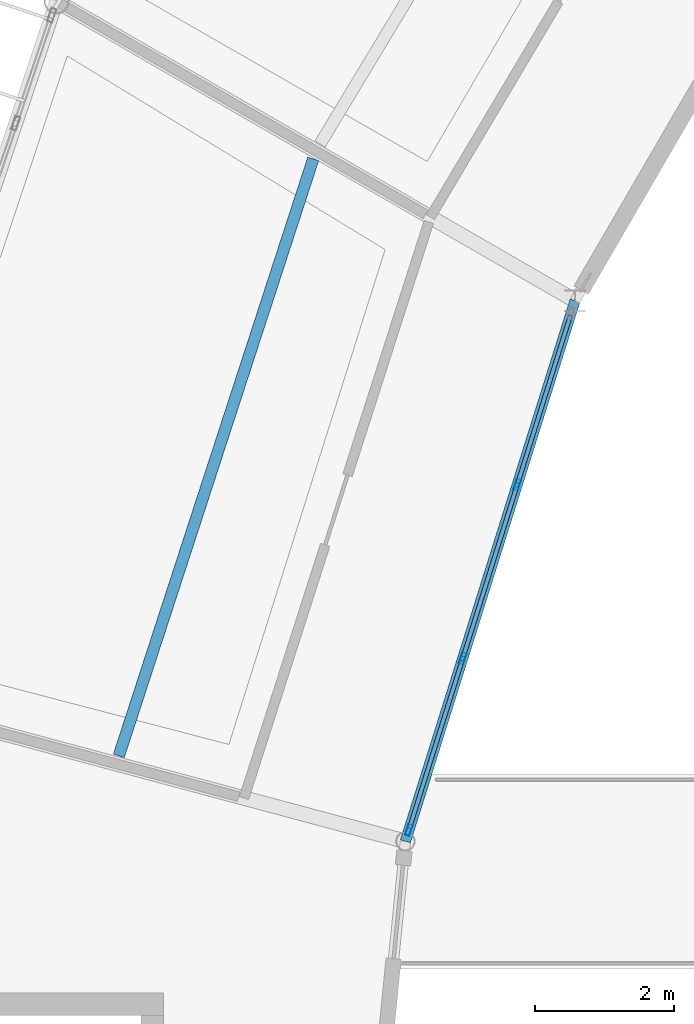
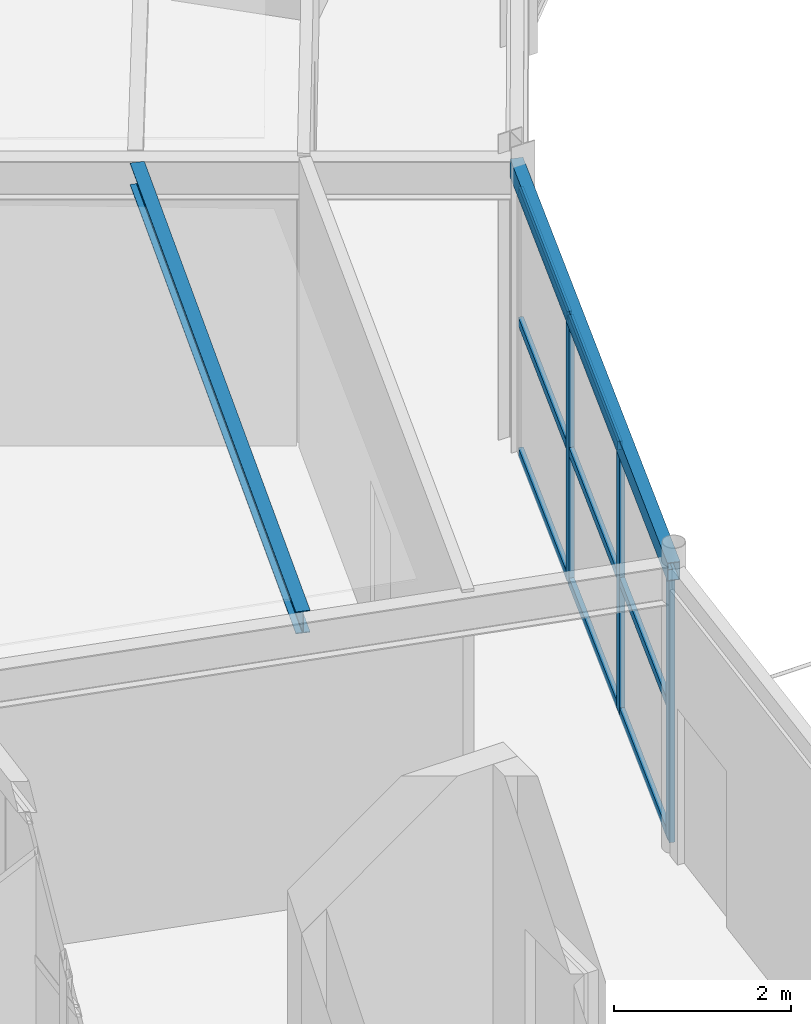
# One storey, part 46 of 148: 12 members, 2 beams, 1 element without a shape of its own.
"""IFC4 building model written with IfcOpenShell, lengths in metres."""

from ifc_helpers import new_model, si_unit, direction, frame, origin, origin_2d, place, context, subcontext, project, spatial, hollow_rectangle, i_section, extrude, material, material_profile, profile_set, type_object, element, aggregate, save


model = new_model("IFC4")

# Units and contexts
model_context = context("Model", 3, precision=1e-05, world=origin(), true_north=direction((0.0, 1.0)))
body_context = subcontext(model_context, "Body", "Model", "MODEL_VIEW")
ifc_project = project(units=[si_unit("LENGTHUNIT", "METRE"), si_unit("AREAUNIT", "SQUARE_METRE"), si_unit("VOLUMEUNIT", "CUBIC_METRE"), si_unit("PLANEANGLEUNIT", "RADIAN"), si_unit("MASSUNIT", "GRAM", prefix="KILO")], contexts=[model_context])

# Site, building, storey
site_placement = place(None, origin())
site = spatial("IfcSite", under=ifc_project, at=site_placement, CompositionType="ELEMENT")
building_placement = place(site_placement, origin())
building = spatial("IfcBuilding", under=site, at=building_placement, Name="Karori Crest Natural Sciences Institute", CompositionType="ELEMENT")
storey_placement = place(building_placement, frame((0.0, 0.0, 4.89990234375)))
storey = spatial("IfcBuildingStorey", under=building, at=storey_placement, Name="L01", CompositionType="ELEMENT", Elevation=4.89990234375)

# Beams
ifc_material_1 = material(Name="Structural steel AS/NZS 3679.1 Grade 350", Category="steel")
ifc_material_profile_1 = material_profile(ifc_material_1, i_section(OverallWidth=0.1650390625, OverallDepth=0.303955078125, WebThickness=0.006103515625, FlangeThickness=0.01025390625, FilletRadius=0.010986328125, at=origin_2d()), Name="310UB40.4")
ifc_profile_set_1 = profile_set([ifc_material_profile_1], Name="Structural steel AS/NZS 3679.1 Grade 350")
beam_type_1 = type_object("IfcBeamType", Name="BT-10", PredefinedType="BEAM", material=ifc_profile_set_1)
beam_1_placement = place(storey_placement, frame((41.5078125, 68.035888671875, 3.7880859375), z_axis=(-0.309674277679, -0.950842700842, 0.0), x_axis=(0.950842700842, -0.309674277679, 0.0)))
element("IfcBeam", 1, at=beam_1_placement, inside=storey, type_object=beam_type_1, Name="Beam B-0222", PredefinedType="BEAM", context=body_context, shape_type="SweptSolid", body=[
    extrude(i_section(OverallWidth=0.1650390625, OverallDepth=0.303955078125, WebThickness=0.006103515625, FlangeThickness=0.01025390625, FilletRadius=0.010986328125, at=origin_2d()), origin(), (0.0, 0.0, 1.0), 9.018310546875),
])
ifc_material_2 = material(Name="Hollow structural steel AS/NZS 1163 Grade C350", Category="steel")
ifc_material_profile_2 = material_profile(ifc_material_2, hollow_rectangle(XDim=0.14990234375, YDim=0.25, WallThickness=0.009033203125, at=origin_2d()), Name="RHS250x150x9")
ifc_profile_set_2 = profile_set([ifc_material_profile_2], Name="Hollow structural steel AS/NZS 1163 Grade C350")
beam_type_2 = type_object("IfcBeamType", Name="BT-16", PredefinedType="SPANDREL", material=ifc_profile_set_2)
beam_2_placement = place(storey_placement, frame((45.26904296875, 66.0, 3.7900390625), z_axis=(-0.299487310016, -0.954100283586, 0.0), x_axis=(0.954100283586, -0.299487310016, 0.0)))
element("IfcBeam", 2, at=beam_2_placement, inside=storey, type_object=beam_type_2, Name="Beam B-0220", PredefinedType="SPANDREL", context=body_context, shape_type="SweptSolid", body=[
    extrude(hollow_rectangle(XDim=0.14990234375, YDim=0.25, WallThickness=0.009033203125, at=origin_2d()), origin(), (0.0, 0.0, 1.0), 8.1396484375),
])

# Curtain wall, members
ifc_material_3 = material(Name="Anodised architectural aluminium 6063-T6", Category="aluminium")
curtain_wall_type = type_object("IfcCurtainWallType", Name="CWT-11", PredefinedType="NOTDEFINED", material=ifc_material_3)
curtain_wall_placement = place(storey_placement, origin())
curtain_wall = element("IfcCurtainWall", 3, at=curtain_wall_placement, inside=storey, type_object=curtain_wall_type, Name="Curtain wall CW-0046", PredefinedType="NOTDEFINED")
ifc_material_profile_3 = material_profile(ifc_material_3, hollow_rectangle(XDim=0.06494140625, YDim=0.159912109375, WallThickness=0.00390625, at=origin_2d()), Name="CWM160x65x4")
ifc_profile_set_3 = profile_set([ifc_material_profile_3], Name="Anodised architectural aluminium 6063-T6")
member_type_1 = type_object("IfcMemberType", Name="CWM-01", PredefinedType="MULLION", material=ifc_profile_set_3)
member_1_placement = place(storey_placement, frame((44.43798828125, 63.352783203125, 0.0), z_axis=(0.0, 0.0, 1.0), x_axis=(0.954103649609, -0.2994765864, 0.0)))
member_1 = element("IfcMember", 4, at=member_1_placement, type_object=member_type_1, Name="CW-0046 mullion 2", PredefinedType="MULLION", context=body_context, shape_type="SweptSolid", body=[
    extrude(hollow_rectangle(XDim=0.06494140625, YDim=0.159912109375, WallThickness=0.00390625, at=origin_2d()), origin(), (0.0, 0.0, 1.0), 3.650146484375),
])
member_2_placement = place(storey_placement, frame((43.65478515625, 60.857421875, 0.0), z_axis=(0.0, 0.0, 1.0), x_axis=(0.954103649609, -0.2994765864, 0.0)))
member_2 = element("IfcMember", 5, at=member_2_placement, type_object=member_type_1, Name="CW-0046 mullion 3", PredefinedType="MULLION", context=body_context, shape_type="SweptSolid", body=[
    extrude(hollow_rectangle(XDim=0.06494140625, YDim=0.159912109375, WallThickness=0.00390625, at=origin_2d()), origin(), (0.0, 0.0, 1.0), 3.650146484375),
])
member_3_placement = place(storey_placement, frame((42.88134765625, 58.393310546875, 0.0), z_axis=(0.0, 0.0, 1.0), x_axis=(0.954103649609, -0.2994765864, 0.0)))
member_3 = element("IfcMember", 6, at=member_3_placement, type_object=member_type_1, Name="CW-0046 mullion 4", PredefinedType="MULLION", context=body_context, shape_type="SweptSolid", body=[
    extrude(hollow_rectangle(XDim=0.06494140625, YDim=0.159912109375, WallThickness=0.00390625, at=origin_2d()), origin(), (0.0, 0.0, 1.0), 3.650146484375),
])
ifc_material_profile_4 = material_profile(ifc_material_3, hollow_rectangle(XDim=0.06005859375, YDim=0.1201171875, WallThickness=0.00390625, at=origin_2d()), Name="CWT120x60x4")
ifc_profile_set_4 = profile_set([ifc_material_profile_4], Name="Anodised architectural aluminium 6063-T6")
member_type_2 = type_object("IfcMemberType", Name="CWT-TR1", PredefinedType="USERDEFINED", material=ifc_profile_set_4)
member_4_placement = place(storey_placement, frame((45.201904296875, 65.785888671875, 0.030029296875), z_axis=(-0.299539132348, -0.954084015269, 0.0), x_axis=(0.954084015269, -0.299539132348, 0.0)))
member_4 = element("IfcMember", 7, at=member_4_placement, type_object=member_type_2, Name="CW-0046 transom 1.1", ObjectType="TRANSOM", PredefinedType="USERDEFINED", context=body_context, shape_type="SweptSolid", body=[
    extrude(hollow_rectangle(XDim=0.06005859375, YDim=0.1201171875, WallThickness=0.00390625, at=origin_2d()), origin(), (0.0, 0.0, 1.0), 2.517822265625),
])
member_5_placement = place(storey_placement, frame((45.201904296875, 65.785888671875, 1.8251953125), z_axis=(-0.299539132348, -0.954084015269, 0.0), x_axis=(0.954084015269, -0.299539132348, 0.0)))
member_5 = element("IfcMember", 8, at=member_5_placement, type_object=member_type_2, Name="CW-0046 transom 1.2", ObjectType="TRANSOM", PredefinedType="USERDEFINED", context=body_context, shape_type="SweptSolid", body=[
    extrude(hollow_rectangle(XDim=0.06005859375, YDim=0.1201171875, WallThickness=0.00390625, at=origin_2d()), origin(), (0.0, 0.0, 1.0), 2.517822265625),
])
member_6_placement = place(storey_placement, frame((45.201904296875, 65.785888671875, 3.6201171875), z_axis=(-0.299539132348, -0.954084015269, 0.0), x_axis=(0.954084015269, -0.299539132348, 0.0)))
member_6 = element("IfcMember", 9, at=member_6_placement, type_object=member_type_2, Name="CW-0046 transom 1.3", ObjectType="TRANSOM", PredefinedType="USERDEFINED", context=body_context, shape_type="SweptSolid", body=[
    extrude(hollow_rectangle(XDim=0.06005859375, YDim=0.1201171875, WallThickness=0.00390625, at=origin_2d()), origin(), (0.0, 0.0, 1.0), 2.517822265625),
])
member_7_placement = place(storey_placement, frame((44.428466796875, 63.32177734375, 0.030029296875), z_axis=(-0.29952290777, -0.9540891089, 0.0), x_axis=(0.9540891089, -0.29952290777, 0.0)))
member_7 = element("IfcMember", 10, at=member_7_placement, type_object=member_type_2, Name="CW-0046 transom 2.1", ObjectType="TRANSOM", PredefinedType="USERDEFINED", context=body_context, shape_type="SweptSolid", body=[
    extrude(hollow_rectangle(XDim=0.06005859375, YDim=0.1201171875, WallThickness=0.00390625, at=origin_2d()), origin(), (0.0, 0.0, 1.0), 2.550537109375),
])
member_8_placement = place(storey_placement, frame((44.428466796875, 63.32177734375, 1.8251953125), z_axis=(-0.29952290777, -0.9540891089, 0.0), x_axis=(0.9540891089, -0.29952290777, 0.0)))
member_8 = element("IfcMember", 11, at=member_8_placement, type_object=member_type_2, Name="CW-0046 transom 2.2", ObjectType="TRANSOM", PredefinedType="USERDEFINED", context=body_context, shape_type="SweptSolid", body=[
    extrude(hollow_rectangle(XDim=0.06005859375, YDim=0.1201171875, WallThickness=0.00390625, at=origin_2d()), origin(), (0.0, 0.0, 1.0), 2.550537109375),
])
member_9_placement = place(storey_placement, frame((44.428466796875, 63.32177734375, 3.6201171875), z_axis=(-0.29952290777, -0.9540891089, 0.0), x_axis=(0.9540891089, -0.29952290777, 0.0)))
member_9 = element("IfcMember", 12, at=member_9_placement, type_object=member_type_2, Name="CW-0046 transom 2.3", ObjectType="TRANSOM", PredefinedType="USERDEFINED", context=body_context, shape_type="SweptSolid", body=[
    extrude(hollow_rectangle(XDim=0.06005859375, YDim=0.1201171875, WallThickness=0.00390625, at=origin_2d()), origin(), (0.0, 0.0, 1.0), 2.550537109375),
])
member_10_placement = place(storey_placement, frame((43.645263671875, 60.826416015625, 0.030029296875), z_axis=(-0.299539132348, -0.954084015269, 0.0), x_axis=(0.954084015269, -0.299539132348, 0.0)))
member_10 = element("IfcMember", 13, at=member_10_placement, type_object=member_type_2, Name="CW-0046 transom 3.1", ObjectType="TRANSOM", PredefinedType="USERDEFINED", context=body_context, shape_type="SweptSolid", body=[
    extrude(hollow_rectangle(XDim=0.06005859375, YDim=0.1201171875, WallThickness=0.00390625, at=origin_2d()), origin(), (0.0, 0.0, 1.0), 2.517822265625),
])
member_11_placement = place(storey_placement, frame((43.645263671875, 60.826416015625, 1.8251953125), z_axis=(-0.299539132348, -0.954084015269, 0.0), x_axis=(0.954084015269, -0.299539132348, 0.0)))
member_11 = element("IfcMember", 14, at=member_11_placement, type_object=member_type_2, Name="CW-0046 transom 3.2", ObjectType="TRANSOM", PredefinedType="USERDEFINED", context=body_context, shape_type="SweptSolid", body=[
    extrude(hollow_rectangle(XDim=0.06005859375, YDim=0.1201171875, WallThickness=0.00390625, at=origin_2d()), origin(), (0.0, 0.0, 1.0), 2.517822265625),
])
member_12_placement = place(storey_placement, frame((43.645263671875, 60.826416015625, 3.6201171875), z_axis=(-0.299539132348, -0.954084015269, 0.0), x_axis=(0.954084015269, -0.299539132348, 0.0)))
member_12 = element("IfcMember", 15, at=member_12_placement, type_object=member_type_2, Name="CW-0046 transom 3.3", ObjectType="TRANSOM", PredefinedType="USERDEFINED", context=body_context, shape_type="SweptSolid", body=[
    extrude(hollow_rectangle(XDim=0.06005859375, YDim=0.1201171875, WallThickness=0.00390625, at=origin_2d()), origin(), (0.0, 0.0, 1.0), 2.517822265625),
])
aggregate(curtain_wall, [member_1, member_2, member_3, member_4, member_5, member_6, member_7, member_8, member_9, member_10, member_11, member_12])

save(model, "model.ifc")
